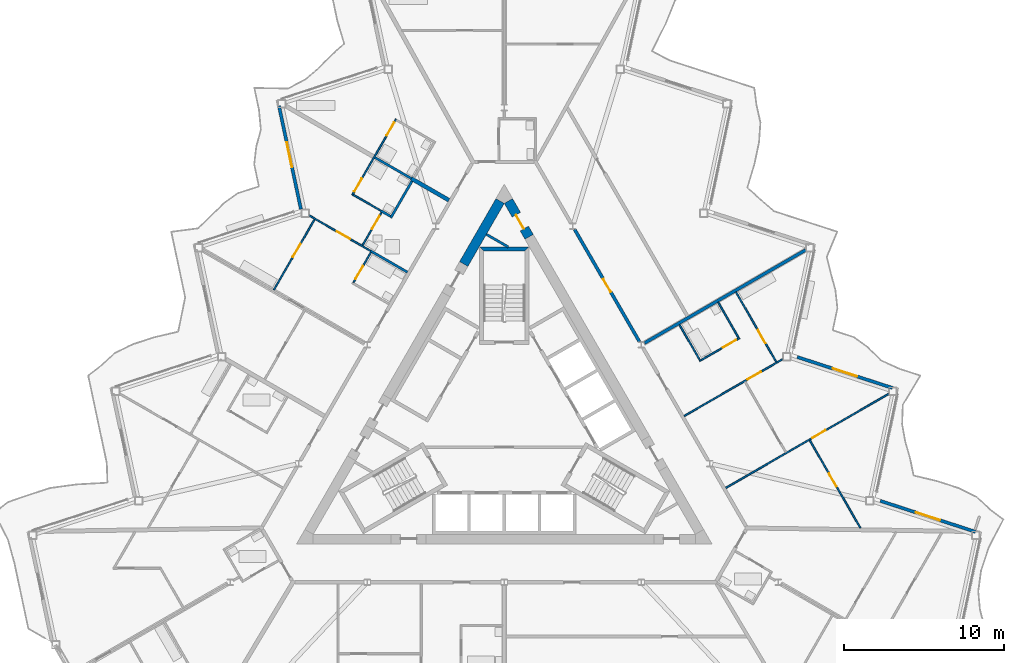
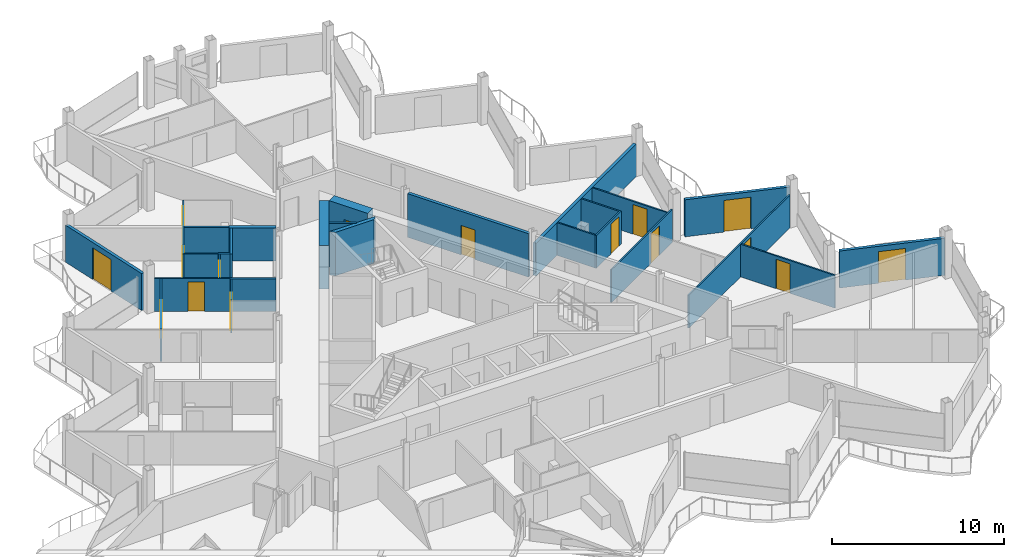
# One storey, part 16 of 26: 27 walls, 16 doors, 16 openings.
"""IFC4 building model written with IfcOpenShell, lengths in metres."""

from ifc_helpers import new_model, si_unit, direction, frame, frame_2d, origin, place, context, subcontext, project, spatial, polyline, rectangle, outline, extrude, material, layer, layer_set, type_object, element, fill, save


model = new_model("IFC4")

# Units and contexts
model_context = context("Model", 3, precision=1e-05, world=origin(), true_north=direction((0.0, 1.0)))
body_context = subcontext(model_context, "Body", "Model", "MODEL_VIEW")
ifc_project = project(units=[si_unit("LENGTHUNIT", "METRE"), si_unit("AREAUNIT", "SQUARE_METRE"), si_unit("VOLUMEUNIT", "CUBIC_METRE"), si_unit("PLANEANGLEUNIT", "RADIAN"), si_unit("MASSUNIT", "GRAM", prefix="KILO")], contexts=[model_context])

# Site, building, storey
site_placement = place(None, origin())
site = spatial("IfcSite", under=ifc_project, at=site_placement, CompositionType="ELEMENT")
building_placement = place(site_placement, origin())
building = spatial("IfcBuilding", under=site, at=building_placement, Name="Cormorant Prow Tower", CompositionType="ELEMENT")
storey_placement = place(building_placement, frame((0.0, 0.0, 381.39990234375)))
storey = spatial("IfcBuildingStorey", under=building, at=storey_placement, Name="L86", CompositionType="ELEMENT", Elevation=381.39990234375)

# Walls
ifc_material_1 = material(Name="Gypsum board partition")
ifc_layer_1 = layer(ifc_material_1, 0.14990234375)
ifc_layer_set_1 = layer_set([ifc_layer_1], Name="Gypsum board partition")
wall_type_1 = type_object("IfcWallType", Name="Core partition 150", PredefinedType="PARTITIONING", material=ifc_layer_set_1)
wall_1_placement = place(storey_placement, frame((-1.119140625, 11.872802734375, 0.0), z_axis=(0.0, 0.0, 1.0), x_axis=(0.865992812752, -0.500056445075, 0.0)))
element("IfcWall", 1, at=wall_1_placement, inside=storey, type_object=wall_type_1, Name="Service room partition", PredefinedType="PARTITIONING", context=body_context, shape_type="SweptSolid", body=[
    extrude(rectangle(XDim=1.581787109375, YDim=0.14990234375, at=frame_2d((0.791015625, 0.0))), origin(), (0.0, 0.0, 1.0), 3.10009765625),
])
ifc_material_2 = material(Name="Concrete 8000 psi", Category="concrete")
ifc_layer_2 = layer(ifc_material_2, 0.60009765625)
ifc_layer_set_2 = layer_set([ifc_layer_2], Name="Concrete 8000 psi")
wall_type_2 = type_object("IfcWallType", Name="Core shear wall 600", PredefinedType="SHEAR", material=ifc_layer_set_2)
wall_2_placement = place(storey_placement, frame((-0.259765625, 13.961181640625, 0.0), z_axis=(0.0, 0.0, 1.0), x_axis=(-0.499980485389, -0.866036670257, 0.0)))
element("IfcWall", 2, at=wall_2_placement, inside=storey, type_object=wall_type_2, Name="Core wall", PredefinedType="SHEAR", context=body_context, shape_type="SweptSolid", body=[
    extrude(rectangle(XDim=4.559326171875, YDim=0.60009765625, at=frame_2d((2.27978515625, 0.0))), origin(), (0.0, 0.0, 1.0), 3.10009765625),
])

# Wall, opening, door
wall_3_placement = place(storey_placement, frame((1.555908203125, 11.71630859375, 0.0), z_axis=(0.0, 0.0, 1.0), x_axis=(-0.500018667571, 0.866014625789, 0.0)))
wall_3 = element("IfcWall", 3, at=wall_3_placement, inside=storey, type_object=wall_type_2, Name="Core wall door panel", PredefinedType="SHEAR", context=body_context, shape_type="SweptSolid", body=[
    extrude(rectangle(XDim=2.59228515625, YDim=0.60009765625, at=frame_2d((1.296142578125, 0.0))), origin(), (0.0, 0.0, 1.0), 3.10009765625),
])
opening_1_placement = place(wall_3_placement, frame((0.60009765625, 0.0, 0.0)))
opening_1 = element("IfcOpeningElement", 4, at=opening_1_placement, cuts=wall_3, Name="Opening L86-C20", PredefinedType="OPENING", context=body_context, shape_type="SweptSolid", body=[
    extrude(rectangle(XDim=1.0, YDim=2.10009765625, at=frame_2d((0.5, 1.050048828125))), frame((0.0, 0.31005859375, 0.0), z_axis=(0.0, -1.0, 0.0), x_axis=(1.0, 0.0, 0.0)), (0.0, 0.0, 1.0), 0.6201171875),
])
ifc_material_3 = material(Name="Painted steel", Category="steel")
door_type_1 = type_object("IfcDoorType", Name="Service door 1000x2100", OperationType="NOTDEFINED", PredefinedType="DOOR", material=ifc_material_3)
door_1_placement = place(opening_1_placement, origin())
door_1 = element("IfcDoor", 5, at=door_1_placement, inside=storey, type_object=door_type_1, Name="Core door, Pantry store", OperationType="SINGLE_SWING_RIGHT", OverallHeight=2.10009765625, OverallWidth=1.0, PredefinedType="DOOR", context=body_context, shape_type="SweptSolid", body=[
    extrude(rectangle(XDim=1.0, YDim=2.10009765625, at=frame_2d((0.5, 1.050048828125))), frame((0.0, 0.05517578125, 0.0), z_axis=(0.0, -1.0, 0.0), x_axis=(1.0, 0.0, 0.0)), (0.0, 0.0, 1.0), 0.050048828125),
])
fill(opening_1, door_1)

ifc_material_4 = material(Name="Gypsum board corridor wall")
ifc_layer_3 = layer(ifc_material_4, 0.199951171875)
ifc_layer_set_3 = layer_set([ifc_layer_3], Name="Gypsum board corridor wall")
wall_type_3 = type_object("IfcWallType", Name="Corridor wall 200", PredefinedType="PARTITIONING", material=ifc_layer_set_3)
wall_4_placement = place(storey_placement, frame((4.403076171875, 12.184814453125, 0.0), z_axis=(0.0, 0.0, 1.0), x_axis=(0.499992155518, -0.866029932751, 0.0)))
wall_4 = element("IfcWall", 6, at=wall_4_placement, inside=storey, type_object=wall_type_3, Name="Corridor wall", PredefinedType="PARTITIONING", context=body_context, shape_type="SweptSolid", body=[
    extrude(rectangle(XDim=8.123291015625, YDim=0.199951171875, at=frame_2d((4.0615234375, 0.0))), origin(), (0.0, 0.0, 1.0), 3.10009765625),
])
opening_2_placement = place(wall_4_placement, frame((3.586669921875, 0.0, 0.0)))
opening_2 = element("IfcOpeningElement", 7, at=opening_2_placement, cuts=wall_4, Name="Opening L86-F23", PredefinedType="OPENING", context=body_context, shape_type="SweptSolid", body=[
    extrude(rectangle(XDim=0.949951171875, YDim=2.10009765625, at=frame_2d((0.47509765625, 1.050048828125))), frame((0.0, 0.10986328125, 0.0), z_axis=(0.0, -1.0, 0.0), x_axis=(1.0, 0.0, 0.0)), (0.0, 0.0, 1.0), 0.219970703125),
])
ifc_material_5 = material(Name="Timber door leaf", Category="wood")
door_type_2 = type_object("IfcDoorType", Name="Store door 950x2100", OperationType="NOTDEFINED", PredefinedType="DOOR", material=ifc_material_5)
door_2_placement = place(opening_2_placement, origin())
door_2 = element("IfcDoor", 8, at=door_2_placement, inside=storey, type_object=door_type_2, Name="Refuse room door", OperationType="SINGLE_SWING_RIGHT", OverallHeight=2.10009765625, OverallWidth=0.949951171875, PredefinedType="DOOR", context=body_context, shape_type="SweptSolid", body=[
    extrude(rectangle(XDim=0.949951171875, YDim=2.10009765625, at=frame_2d((0.47509765625, 1.050048828125))), frame((0.0, 0.02490234375, 0.0), z_axis=(0.0, -1.0, 0.0), x_axis=(1.0, 0.0, 0.0)), (0.0, 0.0, 1.0), 0.050048828125),
])
fill(opening_2, door_2)

# Wall
ifc_material_6 = material(Name="Gypsum board demising wall")
ifc_layer_4 = layer(ifc_material_6, 0.199951171875)
ifc_layer_set_4 = layer_set([ifc_layer_4], Name="Gypsum board demising wall")
wall_type_4 = type_object("IfcWallType", Name="Demising wall 200", PredefinedType="PARTITIONING", material=ifc_layer_set_4)
wall_5_placement = place(storey_placement, frame((8.775390625, 5.06640625, 0.0), z_axis=(0.0, 0.0, 1.0), x_axis=(0.866023724155, 0.500002909193, 0.0)))
element("IfcWall", 9, at=wall_5_placement, inside=storey, type_object=wall_type_4, Name="Demising wall", PredefinedType="PARTITIONING", context=body_context, shape_type="SweptSolid", body=[
    extrude(rectangle(XDim=11.65478515625, YDim=0.199951171875, at=frame_2d((5.827392578125, 0.0))), origin(), (0.0, 0.0, 1.0), 2.330078125),
])

# Wall, opening, door
ifc_material_7 = material(Name="Gypsum board partition")
ifc_layer_5 = layer(ifc_material_7, 0.10009765625)
ifc_layer_set_5 = layer_set([ifc_layer_5], Name="Gypsum board partition")
wall_type_5 = type_object("IfcWallType", Name="Internal partition 100", PredefinedType="PARTITIONING", material=ifc_layer_set_5)
wall_6_placement = place(storey_placement, frame((13.864990234375, -4.00390625, 0.0), z_axis=(0.0, 0.0, 1.0), x_axis=(0.866023404247, 0.500003463284, 0.0)))
wall_6 = element("IfcWall", 10, at=wall_6_placement, inside=storey, type_object=wall_type_5, Name="Internal partition", PredefinedType="PARTITIONING", context=body_context, shape_type="SweptSolid", body=[
    extrude(rectangle(XDim=11.7822265625, YDim=0.10009765625, at=frame_2d((5.89111328125, 0.0))), origin(), (0.0, 0.0, 1.0), 2.330078125),
])
opening_3_placement = place(wall_6_placement, frame((6.2685546875, 0.0, 0.0)))
opening_3 = element("IfcOpeningElement", 11, at=opening_3_placement, cuts=wall_6, Name="Opening L86-F21", PredefinedType="OPENING", context=body_context, shape_type="SweptSolid", body=[
    extrude(rectangle(XDim=0.949951171875, YDim=2.10009765625, at=frame_2d((0.47509765625, 1.050048828125))), frame((0.0, 0.06005859375, 0.0), z_axis=(0.0, -1.0, 0.0), x_axis=(1.0, 0.0, 0.0)), (0.0, 0.0, 1.0), 0.1201171875),
])
ifc_material_8 = material(Name="Timber door leaf", Category="wood")
door_type_3 = type_object("IfcDoorType", Name="Bathroom door 950x2100", OperationType="NOTDEFINED", PredefinedType="DOOR", material=ifc_material_8)
door_3_placement = place(opening_3_placement, origin())
door_3 = element("IfcDoor", 12, at=door_3_placement, inside=storey, type_object=door_type_3, Name="Bedroom door", OperationType="SINGLE_SWING_LEFT", OverallHeight=2.10009765625, OverallWidth=0.949951171875, PredefinedType="DOOR", context=body_context, shape_type="SweptSolid", body=[
    extrude(rectangle(XDim=0.949951171875, YDim=2.10009765625, at=frame_2d((0.47509765625, 1.050048828125))), frame((0.0, 0.02490234375, 0.0), z_axis=(0.0, -1.0, 0.0), x_axis=(1.0, 0.0, 0.0)), (0.0, 0.0, 1.0), 0.050048828125),
])
fill(opening_3, door_3)

wall_7_placement = place(storey_placement, frame((11.26513671875, 0.49951171875, 0.0), z_axis=(0.0, 0.0, 1.0), x_axis=(0.866033839264, 0.499985389037, 0.0)))
wall_7 = element("IfcWall", 13, at=wall_7_placement, inside=storey, type_object=wall_type_5, Name="Internal partition", PredefinedType="PARTITIONING", context=body_context, shape_type="SweptSolid", body=[
    extrude(rectangle(XDim=7.099853515625, YDim=0.10009765625, at=frame_2d((3.5498046875, 0.0))), origin(), (0.0, 0.0, 1.0), 2.330078125),
])
opening_4_placement = place(wall_7_placement, frame((4.58837890625, 0.0, 0.0)))
opening_4 = element("IfcOpeningElement", 14, at=opening_4_placement, cuts=wall_7, Name="Opening L86-F19", PredefinedType="OPENING", context=body_context, shape_type="SweptSolid", body=[
    extrude(rectangle(XDim=0.949951171875, YDim=2.10009765625, at=frame_2d((0.47509765625, 1.050048828125))), frame((0.0, 0.06005859375, 0.0), z_axis=(0.0, -1.0, 0.0), x_axis=(1.0, 0.0, 0.0)), (0.0, 0.0, 1.0), 0.1201171875),
])
door_4_placement = place(opening_4_placement, origin())
door_4 = element("IfcDoor", 15, at=door_4_placement, inside=storey, type_object=door_type_3, Name="Living room door", OperationType="SINGLE_SWING_LEFT", OverallHeight=2.10009765625, OverallWidth=0.949951171875, PredefinedType="DOOR", context=body_context, shape_type="SweptSolid", body=[
    extrude(rectangle(XDim=0.949951171875, YDim=2.10009765625, at=frame_2d((0.47509765625, 1.050048828125))), frame((0.0, 0.02490234375, 0.0), z_axis=(0.0, -1.0, 0.0), x_axis=(1.0, 0.0, 0.0)), (0.0, 0.0, 1.0), 0.050048828125),
])
fill(opening_4, door_4)

wall_8_placement = place(storey_placement, frame((19.12841796875, -1.022705078125, 0.0), z_axis=(0.0, 0.0, 1.0), x_axis=(0.499991387631, -0.866030376081, 0.0)))
wall_8 = element("IfcWall", 16, at=wall_8_placement, inside=storey, type_object=wall_type_5, Name="Internal partition", PredefinedType="PARTITIONING", context=body_context, shape_type="SweptSolid", body=[
    extrude(rectangle(XDim=6.3388671875, YDim=0.10009765625, at=frame_2d((3.16943359375, 0.0))), origin(), (0.0, 0.0, 1.0), 2.330078125),
])
opening_5_placement = place(wall_8_placement, frame((2.388916015625, 0.0, 0.0)))
opening_5 = element("IfcOpeningElement", 17, at=opening_5_placement, cuts=wall_8, Name="Opening L86-F22", PredefinedType="OPENING", context=body_context, shape_type="SweptSolid", body=[
    extrude(rectangle(XDim=0.949951171875, YDim=2.10009765625, at=frame_2d((0.47509765625, 1.050048828125))), frame((0.0, 0.06005859375, 0.0), z_axis=(0.0, -1.0, 0.0), x_axis=(1.0, 0.0, 0.0)), (0.0, 0.0, 1.0), 0.1201171875),
])
door_5_placement = place(opening_5_placement, origin())
door_5 = element("IfcDoor", 18, at=door_5_placement, inside=storey, type_object=door_type_3, Name="Bedroom door", OperationType="SINGLE_SWING_RIGHT", OverallHeight=2.10009765625, OverallWidth=0.949951171875, PredefinedType="DOOR", context=body_context, shape_type="SweptSolid", body=[
    extrude(rectangle(XDim=0.949951171875, YDim=2.10009765625, at=frame_2d((0.47509765625, 1.050048828125))), frame((0.0, 0.02490234375, 0.0), z_axis=(0.0, -1.0, 0.0), x_axis=(1.0, 0.0, 0.0)), (0.0, 0.0, 1.0), 0.050048828125),
])
fill(opening_5, door_5)

# Wall, openings, doors
wall_9_placement = place(storey_placement, frame((-9.5166015625, 14.327880859375, 0.0), z_axis=(0.0, 0.0, 1.0), x_axis=(0.499996545922, 0.866027397988, 0.0)))
wall_9 = element("IfcWall", 19, at=wall_9_placement, inside=storey, type_object=wall_type_5, Name="Internal partition", PredefinedType="PARTITIONING", context=body_context, shape_type="SweptSolid", body=[
    extrude(rectangle(XDim=5.5, YDim=0.10009765625, at=frame_2d((2.75, 0.0))), origin(), (0.0, 0.0, 1.0), 2.330078125),
])
opening_6_placement = place(wall_9_placement, frame((4.300048828125, 0.0, 0.0)))
opening_6 = element("IfcOpeningElement", 20, at=opening_6_placement, cuts=wall_9, Name="Opening L86-F32", PredefinedType="OPENING", context=body_context, shape_type="SweptSolid", body=[
    extrude(rectangle(XDim=0.949951171875, YDim=2.10009765625, at=frame_2d((0.47509765625, 1.050048828125))), frame((0.0, 0.06005859375, 0.0), z_axis=(0.0, -1.0, 0.0), x_axis=(1.0, 0.0, 0.0)), (0.0, 0.0, 1.0), 0.1201171875),
])
opening_7_placement = place(wall_9_placement, frame((0.25, 0.0, 0.0)))
opening_7 = element("IfcOpeningElement", 21, at=opening_7_placement, cuts=wall_9, Name="Opening L86-F40", PredefinedType="OPENING", context=body_context, shape_type="SweptSolid", body=[
    extrude(rectangle(XDim=0.949951171875, YDim=2.10009765625, at=frame_2d((0.47509765625, 1.050048828125))), frame((0.0, 0.06005859375, 0.0), z_axis=(0.0, -1.0, 0.0), x_axis=(1.0, 0.0, 0.0)), (0.0, 0.0, 1.0), 0.1201171875),
])
door_6_placement = place(opening_6_placement, origin())
door_6 = element("IfcDoor", 22, at=door_6_placement, inside=storey, type_object=door_type_3, Name="Studio living, kitchen and sleeping room door", OperationType="SINGLE_SWING_RIGHT", OverallHeight=2.10009765625, OverallWidth=0.949951171875, PredefinedType="DOOR", context=body_context, shape_type="SweptSolid", body=[
    extrude(rectangle(XDim=0.949951171875, YDim=2.10009765625, at=frame_2d((0.47509765625, 1.050048828125))), frame((0.0, 0.02490234375, 0.0), z_axis=(0.0, -1.0, 0.0), x_axis=(1.0, 0.0, 0.0)), (0.0, 0.0, 1.0), 0.050048828125),
])
fill(opening_6, door_6)
door_7_placement = place(opening_7_placement, origin())
door_7 = element("IfcDoor", 23, at=door_7_placement, inside=storey, type_object=door_type_3, Name="Bedroom door", OperationType="SINGLE_SWING_LEFT", OverallHeight=2.10009765625, OverallWidth=0.949951171875, PredefinedType="DOOR", context=body_context, shape_type="SweptSolid", body=[
    extrude(rectangle(XDim=0.949951171875, YDim=2.10009765625, at=frame_2d((0.47509765625, 1.050048828125))), frame((0.0, 0.02490234375, 0.0), z_axis=(0.0, -1.0, 0.0), x_axis=(1.0, 0.0, 0.0)), (0.0, 0.0, 1.0), 0.050048828125),
])
fill(opening_7, door_7)

# Wall, opening, door
wall_10_placement = place(storey_placement, frame((14.503173828125, 8.258056640625, 0.0), z_axis=(0.0, 0.0, 1.0), x_axis=(0.500012591307, -0.866018134068, 0.0)))
wall_10 = element("IfcWall", 24, at=wall_10_placement, inside=storey, type_object=wall_type_5, Name="Internal partition", PredefinedType="PARTITIONING", context=body_context, shape_type="SweptSolid", body=[
    extrude(rectangle(XDim=5.050048828125, YDim=0.10009765625, at=frame_2d((2.52490234375, 0.0))), origin(), (0.0, 0.0, 1.0), 2.330078125),
])
opening_8_placement = place(wall_10_placement, frame((2.75, 0.0, 0.0)))
opening_8 = element("IfcOpeningElement", 25, at=opening_8_placement, cuts=wall_10, Name="Opening L86-F18", PredefinedType="OPENING", context=body_context, shape_type="SweptSolid", body=[
    extrude(rectangle(XDim=0.949951171875, YDim=2.10009765625, at=frame_2d((0.47509765625, 1.050048828125))), frame((0.0, 0.06005859375, 0.0), z_axis=(0.0, -1.0, 0.0), x_axis=(1.0, 0.0, 0.0)), (0.0, 0.0, 1.0), 0.1201171875),
])
door_8_placement = place(opening_8_placement, origin())
door_8 = element("IfcDoor", 26, at=door_8_placement, inside=storey, type_object=door_type_3, Name="Living room door", OperationType="SINGLE_SWING_LEFT", OverallHeight=2.10009765625, OverallWidth=0.949951171875, PredefinedType="DOOR", context=body_context, shape_type="SweptSolid", body=[
    extrude(rectangle(XDim=0.949951171875, YDim=2.10009765625, at=frame_2d((0.47509765625, 1.050048828125))), frame((0.0, 0.02490234375, 0.0), z_axis=(0.0, -1.0, 0.0), x_axis=(1.0, 0.0, 0.0)), (0.0, 0.0, 1.0), 0.050048828125),
])
fill(opening_8, door_8)

wall_11_placement = place(storey_placement, frame((-14.42822265625, 8.387939453125, 0.0), z_axis=(0.0, 0.0, 1.0), x_axis=(0.500005610874, 0.86602216432, 0.0)))
wall_11 = element("IfcWall", 27, at=wall_11_placement, inside=storey, type_object=wall_type_5, Name="Internal partition", PredefinedType="PARTITIONING", context=body_context, shape_type="SweptSolid", body=[
    extrude(rectangle(XDim=5.10009765625, YDim=0.10009765625, at=frame_2d((2.550048828125, 0.0))), origin(), (0.0, 0.0, 1.0), 2.330078125),
])
opening_9_placement = place(wall_11_placement, frame((2.379150390625, 0.0, 0.0)))
opening_9 = element("IfcOpeningElement", 28, at=opening_9_placement, cuts=wall_11, Name="Opening L86-F35", PredefinedType="OPENING", context=body_context, shape_type="SweptSolid", body=[
    extrude(rectangle(XDim=0.949951171875, YDim=2.10009765625, at=frame_2d((0.47509765625, 1.050048828125))), frame((0.0, 0.06005859375, 0.0), z_axis=(0.0, -1.0, 0.0), x_axis=(1.0, 0.0, 0.0)), (0.0, 0.0, 1.0), 0.1201171875),
])
door_9_placement = place(opening_9_placement, origin())
door_9 = element("IfcDoor", 29, at=door_9_placement, inside=storey, type_object=door_type_3, Name="Living room door", OperationType="SINGLE_SWING_RIGHT", OverallHeight=2.10009765625, OverallWidth=0.949951171875, PredefinedType="DOOR", context=body_context, shape_type="SweptSolid", body=[
    extrude(rectangle(XDim=0.949951171875, YDim=2.10009765625, at=frame_2d((0.47509765625, 1.050048828125))), frame((0.0, 0.02490234375, 0.0), z_axis=(0.0, -1.0, 0.0), x_axis=(1.0, 0.0, 0.0)), (0.0, 0.0, 1.0), 0.050048828125),
])
fill(opening_9, door_9)

wall_12_placement = place(storey_placement, frame((-12.2138671875, 13.05615234375, 0.0), z_axis=(0.0, 0.0, 1.0), x_axis=(0.866017452598, -0.500013771606, 0.0)))
wall_12 = element("IfcWall", 30, at=wall_12_placement, inside=storey, type_object=wall_type_5, Name="Internal partition", PredefinedType="PARTITIONING", context=body_context, shape_type="SweptSolid", body=[
    extrude(rectangle(XDim=4.42529296875, YDim=0.10009765625, at=frame_2d((2.212646484375, 0.0))), origin(), (0.0, 0.0, 1.0), 2.330078125),
])
opening_10_placement = place(wall_12_placement, frame((1.993896484375, 0.0, 0.0)))
opening_10 = element("IfcOpeningElement", 31, at=opening_10_placement, cuts=wall_12, Name="Opening L86-F36", PredefinedType="OPENING", context=body_context, shape_type="SweptSolid", body=[
    extrude(rectangle(XDim=0.949951171875, YDim=2.10009765625, at=frame_2d((0.47509765625, 1.050048828125))), frame((0.0, 0.06005859375, 0.0), z_axis=(0.0, -1.0, 0.0), x_axis=(1.0, 0.0, 0.0)), (0.0, 0.0, 1.0), 0.1201171875),
])
door_10_placement = place(opening_10_placement, origin())
door_10 = element("IfcDoor", 32, at=door_10_placement, inside=storey, type_object=door_type_3, Name="Living room door", OperationType="SINGLE_SWING_RIGHT", OverallHeight=2.10009765625, OverallWidth=0.949951171875, PredefinedType="DOOR", context=body_context, shape_type="SweptSolid", body=[
    extrude(rectangle(XDim=0.949951171875, YDim=2.10009765625, at=frame_2d((0.47509765625, 1.050048828125))), frame((0.0, 0.02490234375, 0.0), z_axis=(0.0, -1.0, 0.0), x_axis=(1.0, 0.0, 0.0)), (0.0, 0.0, 1.0), 0.050048828125),
])
fill(opening_10, door_10)

wall_13_placement = place(storey_placement, frame((12.223388671875, 3.939453125, 0.0), z_axis=(0.0, 0.0, 1.0), x_axis=(0.866032775405, 0.499987231761, 0.0)))
wall_13 = element("IfcWall", 33, at=wall_13_placement, inside=storey, type_object=wall_type_5, Name="Internal partition", PredefinedType="PARTITIONING", context=body_context, shape_type="SweptSolid", body=[
    extrude(rectangle(XDim=2.89990234375, YDim=0.10009765625, at=frame_2d((1.449951171875, 0.0))), origin(), (0.0, 0.0, 1.0), 2.330078125),
])
opening_11_placement = place(wall_13_placement, frame((1.699951171875, 0.0, 0.0)))
opening_11 = element("IfcOpeningElement", 34, at=opening_11_placement, cuts=wall_13, Name="Opening L86-F17", PredefinedType="OPENING", context=body_context, shape_type="SweptSolid", body=[
    extrude(rectangle(XDim=0.949951171875, YDim=2.10009765625, at=frame_2d((0.47509765625, 1.050048828125))), frame((0.0, 0.06005859375, 0.0), z_axis=(0.0, -1.0, 0.0), x_axis=(1.0, 0.0, 0.0)), (0.0, 0.0, 1.0), 0.1201171875),
])
door_11_placement = place(opening_11_placement, origin())
door_11 = element("IfcDoor", 35, at=door_11_placement, inside=storey, type_object=door_type_3, Name="Living room door", OperationType="SINGLE_SWING_RIGHT", OverallHeight=2.10009765625, OverallWidth=0.949951171875, PredefinedType="DOOR", context=body_context, shape_type="SweptSolid", body=[
    extrude(rectangle(XDim=0.949951171875, YDim=2.10009765625, at=frame_2d((0.47509765625, 1.050048828125))), frame((0.0, 0.02490234375, 0.0), z_axis=(0.0, -1.0, 0.0), x_axis=(1.0, 0.0, 0.0)), (0.0, 0.0, 1.0), 0.050048828125),
])
fill(opening_11, door_11)

# Walls
for number, where, z_axis, x_axis, name in (
    (36, (10.966796875, 6.21630859375, 0.0), (0.0, 0.0, 1.0), (0.499948979701, -0.866054858364, 0.0), "Internal partition"),
    (37, (13.3916015625, 7.6162109375, 0.0), (0.0, 0.0, 1.0), (0.499948979701, -0.866054858364, 0.0), "Internal partition"),
):
    element("IfcWall", number, at=place(storey_placement, frame(where, z_axis=z_axis, x_axis=x_axis)), inside=storey, type_object=wall_type_5, Name=name, PredefinedType="PARTITIONING", context=body_context, shape_type="SweptSolid", body=[
        extrude(rectangle(XDim=2.550048828125, YDim=0.10009765625, at=frame_2d((1.27490234375, 0.0))), origin(), (0.0, 0.0, 1.0), 2.330078125),
    ])

# Wall, opening, door
wall_14_placement = place(storey_placement, frame((-8.871826171875, 11.184326171875, 0.0), z_axis=(0.0, 0.0, 1.0), x_axis=(0.499986429846, 0.866033238375, 0.0)))
wall_14 = element("IfcWall", 38, at=wall_14_placement, inside=storey, type_object=wall_type_5, Name="Internal partition", PredefinedType="PARTITIONING", context=body_context, shape_type="SweptSolid", body=[
    extrude(rectangle(XDim=2.375, YDim=0.10009765625, at=frame_2d((1.1875, 0.0))), origin(), (0.0, 0.0, 1.0), 2.330078125),
])
opening_12_placement = place(wall_14_placement, frame((1.175048828125, 0.0, 0.0)))
opening_12 = element("IfcOpeningElement", 39, at=opening_12_placement, cuts=wall_14, Name="Opening L86-F37", PredefinedType="OPENING", context=body_context, shape_type="SweptSolid", body=[
    extrude(rectangle(XDim=0.949951171875, YDim=2.10009765625, at=frame_2d((0.47509765625, 1.050048828125))), frame((0.0, 0.06005859375, 0.0), z_axis=(0.0, -1.0, 0.0), x_axis=(1.0, 0.0, 0.0)), (0.0, 0.0, 1.0), 0.1201171875),
])
door_12_placement = place(opening_12_placement, origin())
door_12 = element("IfcDoor", 40, at=door_12_placement, inside=storey, type_object=door_type_3, Name="Bedroom door", OperationType="SINGLE_SWING_RIGHT", OverallHeight=2.10009765625, OverallWidth=0.949951171875, PredefinedType="DOOR", context=body_context, shape_type="SweptSolid", body=[
    extrude(rectangle(XDim=0.949951171875, YDim=2.10009765625, at=frame_2d((0.47509765625, 1.050048828125))), frame((0.0, 0.02490234375, 0.0), z_axis=(0.0, -1.0, 0.0), x_axis=(1.0, 0.0, 0.0)), (0.0, 0.0, 1.0), 0.050048828125),
])
fill(opening_12, door_12)

wall_15_placement = place(storey_placement, frame((-9.441650390625, 8.857666015625, 0.0), z_axis=(0.0, 0.0, 1.0), x_axis=(0.499978335414, 0.866037911478, 0.0)))
wall_15 = element("IfcWall", 41, at=wall_15_placement, inside=storey, type_object=wall_type_5, Name="Internal partition", PredefinedType="PARTITIONING", context=body_context, shape_type="SweptSolid", body=[
    extrude(rectangle(XDim=2.1748046875, YDim=0.10009765625, at=frame_2d((1.08740234375, 0.0))), origin(), (0.0, 0.0, 1.0), 2.330078125),
])
opening_13_placement = place(wall_15_placement, frame((0.25, 0.0, 0.0)))
opening_13 = element("IfcOpeningElement", 42, at=opening_13_placement, cuts=wall_15, Name="Opening L86-F34", PredefinedType="OPENING", context=body_context, shape_type="SweptSolid", body=[
    extrude(rectangle(XDim=0.949951171875, YDim=2.10009765625, at=frame_2d((0.47509765625, 1.050048828125))), frame((0.0, 0.06005859375, 0.0), z_axis=(0.0, -1.0, 0.0), x_axis=(1.0, 0.0, 0.0)), (0.0, 0.0, 1.0), 0.1201171875),
])
door_13_placement = place(opening_13_placement, origin())
door_13 = element("IfcDoor", 43, at=door_13_placement, inside=storey, type_object=door_type_3, Name="Living room door", OperationType="SINGLE_SWING_LEFT", OverallHeight=2.10009765625, OverallWidth=0.949951171875, PredefinedType="DOOR", context=body_context, shape_type="SweptSolid", body=[
    extrude(rectangle(XDim=0.949951171875, YDim=2.10009765625, at=frame_2d((0.47509765625, 1.050048828125))), frame((0.0, 0.02490234375, 0.0), z_axis=(0.0, -1.0, 0.0), x_axis=(1.0, 0.0, 0.0)), (0.0, 0.0, 1.0), 0.050048828125),
])
fill(opening_13, door_13)

# Walls
wall_16_placement = place(storey_placement, frame((-9.4482421875, 14.34619140625, 0.0), z_axis=(0.0, 0.0, 1.0), x_axis=(0.866020521143, -0.500008456887, 0.0)))
element("IfcWall", 44, at=wall_16_placement, inside=storey, type_object=wall_type_5, Name="Internal partition", PredefinedType="PARTITIONING", context=body_context, shape_type="SweptSolid", body=[
    extrude(rectangle(XDim=1.9951171875, YDim=0.10009765625, at=frame_2d((0.99755859375, 0.0))), origin(), (0.0, 0.0, 1.0), 2.330078125),
])
ifc_material_9 = material(Name="Concrete 8000 psi", Category="concrete")
ifc_layer_6 = layer(ifc_material_9, 0.25)
ifc_layer_set_6 = layer_set([ifc_layer_6], Name="Concrete 8000 psi")
wall_type_6 = type_object("IfcWallType", Name="Stair wall 250", PredefinedType="SHEAR", material=ifc_layer_set_6)
wall_17_placement = place(storey_placement, origin())
element("IfcWall", 45, at=wall_17_placement, inside=storey, type_object=wall_type_6, Name="Stair ST3 enclosure wall (end)", PredefinedType="SHEAR", context=body_context, shape_type="SweptSolid", body=[
    extrude(outline(polyline([(1.5439453125, 11.0869140625), (-1.5439453125, 11.0869140625), (-1.2939453125, 10.8369140625), (1.2939453125, 10.8369140625), (1.5439453125, 11.0869140625)])), origin(), (0.0, 0.0, 1.0), 3.10009765625),
])
ifc_material_10 = material(Name="Acoustic gypsum party wall")
ifc_layer_7 = layer(ifc_material_10, 0.25)
ifc_layer_set_7 = layer_set([ifc_layer_7], Name="Acoustic gypsum party wall")
wall_type_7 = type_object("IfcWallType", Name="Suite party wall 250", PredefinedType="PARTITIONING", material=ifc_layer_set_7)
wall_18_placement = place(storey_placement, frame((-5.824951171875, 15.371826171875, 0.0), z_axis=(0.0, 0.0, 1.0), x_axis=(0.866051307416, -0.49995513091, 0.0)))
element("IfcWall", 46, at=wall_18_placement, inside=storey, type_object=wall_type_7, Name="Suite party wall", PredefinedType="PARTITIONING", context=body_context, shape_type="SweptSolid", body=[
    extrude(rectangle(XDim=2.724853515625, YDim=0.25, at=frame_2d((1.3623046875, 0.0))), origin(), (0.0, 0.0, 1.0), 2.330078125),
])

# Wall, opening, door
ifc_material_11 = material(Name="Terracotta", Category="masonry")
ifc_layer_8 = layer(ifc_material_11, 0.199951171875)
ifc_layer_set_8 = layer_set([ifc_layer_8], Name="Terracotta")
wall_type_8 = type_object("IfcWallType", Name="Terracotta jamb wall 200", PredefinedType="SOLIDWALL", material=ifc_layer_set_8)
wall_19_placement = place(storey_placement, frame((29.49951171875, -6.74951171875, 0.0), z_axis=(0.0, 0.0, 1.0), x_axis=(-0.951060123915, 0.309005891041, 0.0)))
wall_19 = element("IfcWall", 47, at=wall_19_placement, inside=storey, type_object=wall_type_8, Name="Terracotta jamb wall ENE01", PredefinedType="SOLIDWALL", context=body_context, shape_type="SweptSolid", body=[
    extrude(rectangle(XDim=6.265380859375, YDim=0.199951171875, at=frame_2d((3.1328125, 0.0))), origin(), (0.0, 0.0, 1.0), 2.634033203125),
])
opening_14_placement = place(wall_19_placement, frame((2.332763671875, 0.0, 0.0)))
opening_14 = element("IfcOpeningElement", 48, at=opening_14_placement, cuts=wall_19, Name="Opening ED86.06", PredefinedType="OPENING", context=body_context, shape_type="SweptSolid", body=[
    extrude(rectangle(XDim=1.60009765625, YDim=2.25, at=frame_2d((0.800048828125, 1.125))), frame((0.0, 0.10986328125, 0.0), z_axis=(0.0, -1.0, 0.0), x_axis=(1.0, 0.0, 0.0)), (0.0, 0.0, 1.0), 0.219970703125),
])
ifc_material_12 = material(Name="Aluminium 6063-T6", Category="aluminium")
door_type_4 = type_object("IfcDoorType", Name="Balcony door 1600x2250", OperationType="DOUBLE_DOOR_SINGLE_SWING", PredefinedType="DOOR", material=ifc_material_12)
door_14_placement = place(opening_14_placement, origin())
door_14 = element("IfcDoor", 49, at=door_14_placement, inside=storey, type_object=door_type_4, Name="Balcony door ENE01 ED86.06", OperationType="DOUBLE_DOOR_SINGLE_SWING", OverallHeight=2.25, OverallWidth=1.60009765625, PredefinedType="DOOR", context=body_context, shape_type="SweptSolid", body=[
    extrude(rectangle(XDim=1.60009765625, YDim=2.25, at=frame_2d((0.800048828125, 1.125))), frame((0.0, 0.02490234375, 0.0), z_axis=(0.0, -1.0, 0.0), x_axis=(1.0, 0.0, 0.0)), (0.0, 0.0, 1.0), 0.050048828125),
])
fill(opening_14, door_14)

wall_20_placement = place(storey_placement, frame((24.299560546875, 2.25732421875, 0.0), z_axis=(0.0, 0.0, 1.0), x_axis=(-0.951060123915, 0.309005891041, 0.0)))
wall_20 = element("IfcWall", 50, at=wall_20_placement, inside=storey, type_object=wall_type_8, Name="Terracotta jamb wall ENE03", PredefinedType="SOLIDWALL", context=body_context, shape_type="SweptSolid", body=[
    extrude(rectangle(XDim=6.265380859375, YDim=0.199951171875, at=frame_2d((3.1328125, 0.0))), origin(), (0.0, 0.0, 1.0), 2.634033203125),
])
opening_15_placement = place(wall_20_placement, frame((2.332763671875, 0.0, 0.0)))
opening_15 = element("IfcOpeningElement", 51, at=opening_15_placement, cuts=wall_20, Name="Opening ED86.07", PredefinedType="OPENING", context=body_context, shape_type="SweptSolid", body=[
    extrude(rectangle(XDim=1.60009765625, YDim=2.25, at=frame_2d((0.800048828125, 1.125))), frame((0.0, 0.10986328125, 0.0), z_axis=(0.0, -1.0, 0.0), x_axis=(1.0, 0.0, 0.0)), (0.0, 0.0, 1.0), 0.219970703125),
])
door_15_placement = place(opening_15_placement, origin())
door_15 = element("IfcDoor", 52, at=door_15_placement, inside=storey, type_object=door_type_4, Name="Balcony door ENE03 ED86.07", OperationType="DOUBLE_DOOR_SINGLE_SWING", OverallHeight=2.25, OverallWidth=1.60009765625, PredefinedType="DOOR", context=body_context, shape_type="SweptSolid", body=[
    extrude(rectangle(XDim=1.60009765625, YDim=2.25, at=frame_2d((0.800048828125, 1.125))), frame((0.0, 0.02490234375, 0.0), z_axis=(0.0, -1.0, 0.0), x_axis=(1.0, 0.0, 0.0)), (0.0, 0.0, 1.0), 0.050048828125),
])
fill(opening_15, door_15)

wall_21_placement = place(storey_placement, frame((-14.1044921875, 19.915283203125, 0.0), z_axis=(0.0, 0.0, 1.0), x_axis=(0.207924998532, -0.978144771997, 0.0)))
wall_21 = element("IfcWall", 53, at=wall_21_placement, inside=storey, type_object=wall_type_8, Name="Terracotta jamb wall WNW03", PredefinedType="SOLIDWALL", context=body_context, shape_type="SweptSolid", body=[
    extrude(rectangle(XDim=6.61181640625, YDim=0.199951171875, at=frame_2d((3.305908203125, 0.0))), origin(), (0.0, 0.0, 1.0), 2.634033203125),
])
opening_16_placement = place(wall_21_placement, frame((2.332763671875, 0.0, 0.0)))
opening_16 = element("IfcOpeningElement", 54, at=opening_16_placement, cuts=wall_21, Name="Opening ED86.12", PredefinedType="OPENING", context=body_context, shape_type="SweptSolid", body=[
    extrude(rectangle(XDim=1.60009765625, YDim=2.25, at=frame_2d((0.800048828125, 1.125))), frame((0.0, 0.10986328125, 0.0), z_axis=(0.0, -1.0, 0.0), x_axis=(1.0, 0.0, 0.0)), (0.0, 0.0, 1.0), 0.219970703125),
])
door_16_placement = place(opening_16_placement, origin())
door_16 = element("IfcDoor", 55, at=door_16_placement, inside=storey, type_object=door_type_4, Name="Balcony door WNW03 ED86.12", OperationType="DOUBLE_DOOR_SINGLE_SWING", OverallHeight=2.25, OverallWidth=1.60009765625, PredefinedType="DOOR", context=body_context, shape_type="SweptSolid", body=[
    extrude(rectangle(XDim=1.60009765625, YDim=2.25, at=frame_2d((0.800048828125, 1.125))), frame((0.0, 0.02490234375, 0.0), z_axis=(0.0, -1.0, 0.0), x_axis=(1.0, 0.0, 0.0)), (0.0, 0.0, 1.0), 0.050048828125),
])
fill(opening_16, door_16)

# Walls
ifc_material_13 = material(Name="Plasterboard wet wall with pipe chase")
ifc_layer_9 = layer(ifc_material_13, 0.14990234375)
ifc_layer_set_9 = layer_set([ifc_layer_9], Name="Plasterboard wet wall with pipe chase")
wall_type_9 = type_object("IfcWallType", Name="Wet wall 150", PredefinedType="PLUMBINGWALL", material=ifc_layer_set_9)
wall_22_placement = place(storey_placement, frame((-8.098388671875, 16.684326171875, 0.0), z_axis=(0.0, 0.0, 1.0), x_axis=(0.866036909293, -0.499980071345, 0.0)))
element("IfcWall", 56, at=wall_22_placement, inside=storey, type_object=wall_type_9, Name="Wet wall", PredefinedType="PLUMBINGWALL", context=body_context, shape_type="SweptSolid", body=[
    extrude(rectangle(XDim=2.625, YDim=0.14990234375, at=frame_2d((1.3125, 0.0))), origin(), (0.0, 0.0, 1.0), 2.330078125),
])
wall_23_placement = place(storey_placement, frame((-8.381591796875, 10.843505859375, 0.0), z_axis=(0.0, 0.0, 1.0), x_axis=(0.866021425885, -0.500006889861, 0.0)))
element("IfcWall", 57, at=wall_23_placement, inside=storey, type_object=wall_type_9, Name="Wet wall", PredefinedType="PLUMBINGWALL", context=body_context, shape_type="SweptSolid", body=[
    extrude(rectangle(XDim=2.6748046875, YDim=0.14990234375, at=frame_2d((1.33740234375, 0.0))), origin(), (0.0, 0.0, 1.0), 2.330078125),
])
wall_24_placement = place(storey_placement, frame((-7.104248046875, 12.90625, 0.0), z_axis=(0.0, 0.0, 1.0), x_axis=(0.499993606316, 0.866029095148, 0.0)))
element("IfcWall", 58, at=wall_24_placement, inside=storey, type_object=wall_type_9, Name="Wet wall", PredefinedType="PLUMBINGWALL", context=body_context, shape_type="SweptSolid", body=[
    extrude(rectangle(XDim=2.64990234375, YDim=0.14990234375, at=frame_2d((1.324951171875, 0.0))), origin(), (0.0, 0.0, 1.0), 2.330078125),
])
wall_25_placement = place(storey_placement, frame((-7.720458984375, 13.3486328125, 0.0), z_axis=(0.0, 0.0, 1.0), x_axis=(0.866113839764, -0.499846793097, 0.0)))
element("IfcWall", 59, at=wall_25_placement, inside=storey, type_object=wall_type_9, Name="Wet wall", PredefinedType="PLUMBINGWALL", context=body_context, shape_type="SweptSolid", body=[
    extrude(rectangle(XDim=0.679931640625, YDim=0.14990234375, at=frame_2d((0.33984375, 0.0))), origin(), (0.0, 0.0, 1.0), 2.330078125),
])

save(model, "model.ifc")
